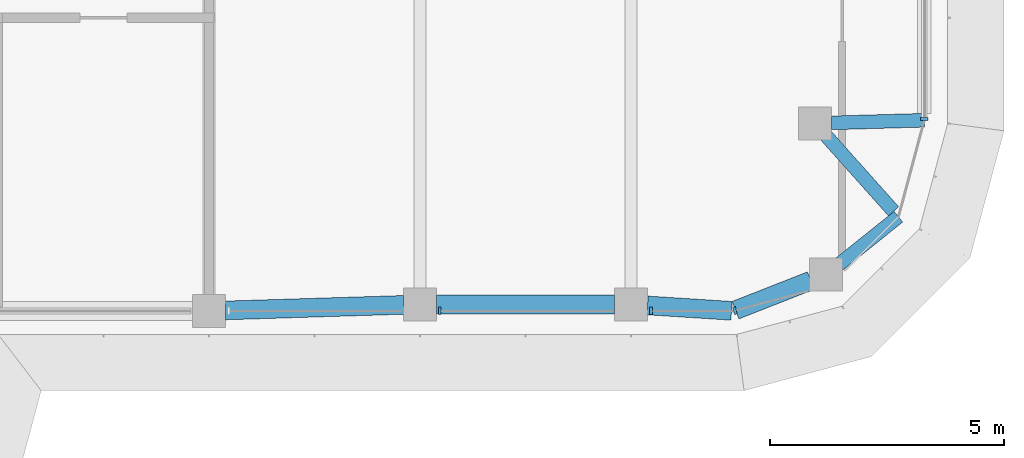
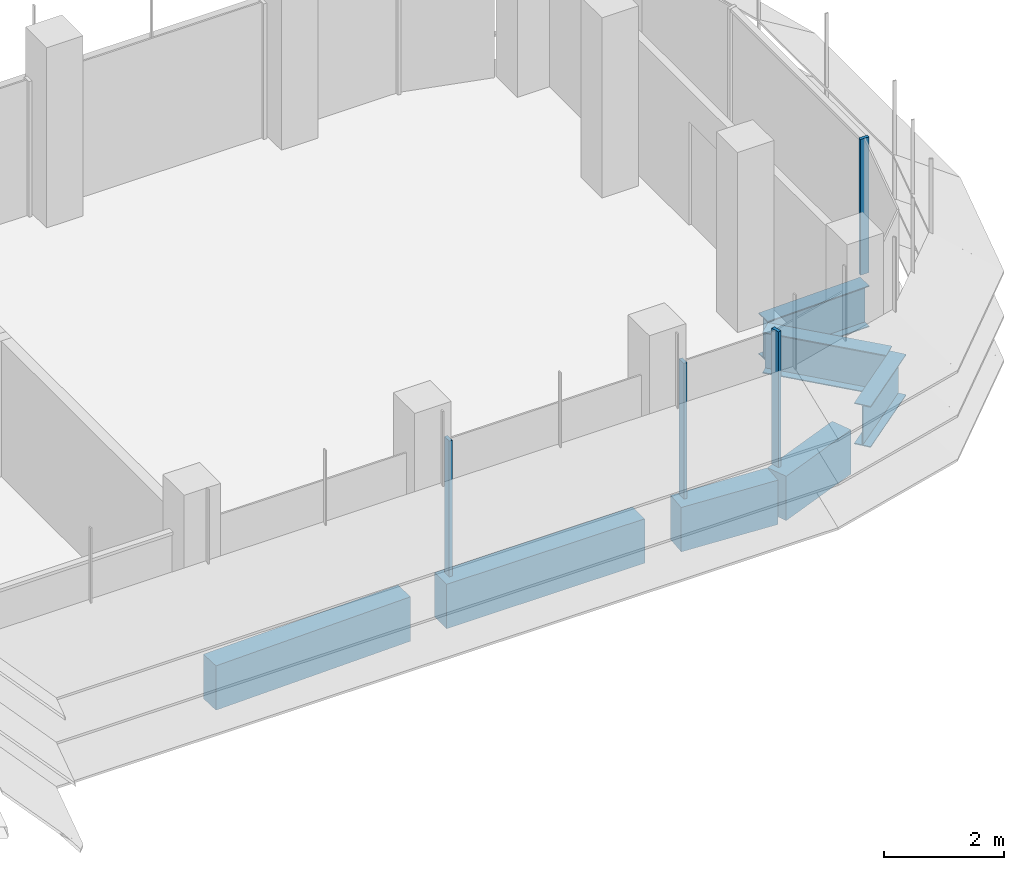
# One storey, part 5 of 18: 7 beams, 4 members, 3 elements without a shape of their own.
"""IFC4 building model written with IfcOpenShell, lengths in metres."""

from ifc_helpers import new_model, si_unit, direction, frame, origin, origin_2d, place, context, subcontext, project, spatial, polyline, rectangle, i_section, outline, extrude, source, transform, mapped, material, material_profile, profile_set, type_object, element, aggregate, save


model = new_model("IFC4")

# Units and contexts
model_context = context("Model", 3, precision=1e-05, world=origin(), true_north=direction((0.0, 1.0)))
body_context = subcontext(model_context, "Body", "Model", "MODEL_VIEW")
ifc_project = project(units=[si_unit("LENGTHUNIT", "METRE"), si_unit("AREAUNIT", "SQUARE_METRE"), si_unit("VOLUMEUNIT", "CUBIC_METRE"), si_unit("PLANEANGLEUNIT", "RADIAN"), si_unit("MASSUNIT", "GRAM", prefix="KILO")], contexts=[model_context])

# Site, building, storey
site_placement = place(None, origin())
site = spatial("IfcSite", under=ifc_project, at=site_placement, CompositionType="ELEMENT")
building_placement = place(site_placement, origin())
building = spatial("IfcBuilding", under=site, at=building_placement, Name="Zarbagh Exchange Tower", CompositionType="ELEMENT")
storey_placement = place(building_placement, frame((0.0, 0.0, 206.800048828125)))
storey = spatial("IfcBuildingStorey", under=building, at=storey_placement, Name="L50", CompositionType="ELEMENT", Elevation=206.800048828125)

# Beams
ifc_material_1 = material(Name="Steel ASTM A992 Gr 50", Category="steel")
ifc_material_profile_1 = material_profile(ifc_material_1, i_section(OverallWidth=0.2919921875, OverallDepth=0.835693359375, WebThickness=0.013916015625, FlangeThickness=0.018798828125, at=origin_2d()), Name="W33X118")
ifc_profile_set_1 = profile_set([ifc_material_profile_1], Name="Steel ASTM A992 Gr 50")
beam_type_1 = type_object("IfcBeamType", Name="Floor girder W33X118", PredefinedType="BEAM", material=ifc_profile_set_1)
beam_1_placement = place(storey_placement, frame((31.0, -2.18408203125, -0.56787109375), z_axis=(-0.999601581355, -0.028225494714, 0.0), x_axis=(0.028225494714, -0.999601581355, 0.0)))
element("IfcBeam", 1, at=beam_1_placement, inside=storey, type_object=beam_type_1, Name="Steel girder", PredefinedType="BEAM", context=body_context, shape_type="SweptSolid", body=[
    extrude(i_section(OverallWidth=0.2919921875, OverallDepth=0.835693359375, WebThickness=0.013916015625, FlangeThickness=0.018798828125, at=origin_2d()), origin(), (0.0, 0.0, 1.0), 1.980712890625),
])
beam_2_placement = place(storey_placement, frame((28.9033203125, -2.510986328125, -0.56787109375), z_axis=(0.666194955403, -0.745777635355, 0.0), x_axis=(0.745777635355, 0.666194955403, 0.0)))
element("IfcBeam", 2, at=beam_2_placement, inside=storey, type_object=beam_type_1, Name="Steel girder", PredefinedType="BEAM", context=body_context, shape_type="SweptSolid", body=[
    extrude(i_section(OverallWidth=0.2919921875, OverallDepth=0.835693359375, WebThickness=0.013916015625, FlangeThickness=0.018798828125, at=origin_2d()), origin(), (0.0, 0.0, 1.0), 2.165771484375),
])
beam_3_placement = place(storey_placement, frame((30.44873046875, -4.2412109375, -0.56787109375), z_axis=(-0.780619385558, -0.625006699877, 0.0), x_axis=(0.625006699877, -0.780619385558, 0.0)))
element("IfcBeam", 3, at=beam_3_placement, inside=storey, type_object=beam_type_1, Name="Steel girder", PredefinedType="BEAM", context=body_context, shape_type="SweptSolid", body=[
    extrude(i_section(OverallWidth=0.2919921875, OverallDepth=0.835693359375, WebThickness=0.013916015625, FlangeThickness=0.018798828125, at=origin_2d()), origin(), (0.0, 0.0, 1.0), 1.623779296875),
])
ifc_material_2 = material(Name="Concrete C50/60", Category="concrete")
ifc_material_profile_2 = material_profile(ifc_material_2, rectangle(XDim=0.39990234375, YDim=0.89990234375, at=origin_2d()), Name="RC spandrel beam 400 x 900 C50/60")
ifc_profile_set_2 = profile_set([ifc_material_profile_2], Name="Concrete C50/60")
beam_type_2 = type_object("IfcBeamType", Name="RC spandrel beam 400 x 900 C50/60", PredefinedType="SPANDREL", material=ifc_profile_set_2)
beam_4_placement = place(storey_placement, frame((28.582275390625, -5.602783203125, -0.60009765625), z_axis=(-0.930818525178, -0.365481700207, 0.0), x_axis=(0.365481700207, -0.930818525178, 0.0)))
element("IfcBeam", 4, at=beam_4_placement, inside=storey, type_object=beam_type_2, Name="RC spandrel beam", PredefinedType="SPANDREL", context=body_context, shape_type="SweptSolid", body=[
    extrude(rectangle(XDim=0.39990234375, YDim=0.89990234375, at=origin_2d()), origin(), (0.0, 0.0, 1.0), 1.72607421875),
])
beam_5_placement = place(storey_placement, frame((26.8896484375, -6.247314453125, -0.60009765625), z_axis=(-0.997943601797, 0.064098109429, 0.0), x_axis=(-0.064098109429, -0.997943601797, 0.0)))
element("IfcBeam", 5, at=beam_5_placement, inside=storey, type_object=beam_type_2, Name="RC spandrel beam", PredefinedType="SPANDREL", context=body_context, shape_type="SweptSolid", body=[
    extrude(rectangle(XDim=0.39990234375, YDim=0.89990234375, at=origin_2d()), origin(), (0.0, 0.0, 1.0), 1.7939453125),
])
beam_6_placement = place(storey_placement, frame((24.39990234375, -6.110107421875, -0.60009765625), z_axis=(-1.0, 0.0, 0.0), x_axis=(0.0, -1.0, 0.0)))
element("IfcBeam", 6, at=beam_6_placement, inside=storey, type_object=beam_type_2, Name="RC spandrel beam", PredefinedType="SPANDREL", context=body_context, shape_type="SweptSolid", body=[
    extrude(rectangle(XDim=0.39990234375, YDim=0.89990234375, at=origin_2d()), origin(), (0.0, 0.0, 1.0), 3.7998046875),
])
beam_7_placement = place(storey_placement, frame((19.900146484375, -6.120849609375, -0.60009765625), z_axis=(-0.999516950199, -0.031078389046, 0.0), x_axis=(0.031078389046, -0.999516950199, 0.0)))
element("IfcBeam", 7, at=beam_7_placement, inside=storey, type_object=beam_type_2, Name="RC spandrel beam", PredefinedType="SPANDREL", context=body_context, shape_type="SweptSolid", body=[
    extrude(rectangle(XDim=0.39990234375, YDim=0.89990234375, at=origin_2d()), origin(), (0.0, 0.0, 1.0), 3.80224609375),
])

# Curtain wall, members
ifc_material_3 = material(Name="Anodised aluminium frame and glazing", Category="aluminium")
curtain_wall_type = type_object("IfcCurtainWallType", Name="CWB Ribbon glazing, upper zones", PredefinedType="NOTDEFINED", material=ifc_material_3)
curtain_wall_1_placement = place(storey_placement, origin())
curtain_wall_1 = element("IfcCurtainWall", 8, at=curtain_wall_1_placement, inside=storey, type_object=curtain_wall_type, Name="CWB08 curtain wall", PredefinedType="NOTDEFINED")
ifc_material_4 = material(Name="Anodised aluminium frame", Category="aluminium")
member_type = type_object("IfcMemberType", Name="MUB Mullion, anodised aluminium frame", PredefinedType="MULLION", material=ifc_material_4)
shared_shape = source(origin(), body_context, "Body", "SweptSolid", [
    extrude(outline(polyline([(0.0, -0.080078125), (0.06005859375, -0.080078125), (0.06005859375, 0.080078125), (0.0, 0.080078125), (0.0, -0.080078125)])), origin(), (0.0, 0.0, 1.0), 2.75),
])
placement = place(storey_placement, origin())
member_1 = element("IfcMember", 9, at=placement, type_object=member_type, Name="CWB08 mullion 3.1", PredefinedType="MULLION", context=body_context, shape_type="MappedRepresentation", body=[
    mapped(shared_shape, transform((20.64013671875, -6.25, 0.0), x_axis=(1.0, 0.0, 0.0), y_axis=(0.0, 1.0, 0.0), z_axis=(0.0, 0.0, 1.0))),
])
member_2 = element("IfcMember", 10, at=placement, type_object=member_type, Name="CWB08 mullion 4.1", PredefinedType="MULLION", context=body_context, shape_type="MappedRepresentation", body=[
    mapped(shared_shape, transform((25.14013671875, -6.25, 0.0), x_axis=(1.0, 0.0, 0.0), y_axis=(0.0, 1.0, 0.0), z_axis=(0.0, 0.0, 1.0))),
])
aggregate(curtain_wall_1, [member_1, member_2])

# Curtain wall, member
curtain_wall_2_placement = place(storey_placement, origin())
curtain_wall_2 = element("IfcCurtainWall", 11, at=curtain_wall_2_placement, inside=storey, type_object=curtain_wall_type, Name="CWB09 curtain wall", PredefinedType="NOTDEFINED")
member_3 = element("IfcMember", 12, at=placement, type_object=member_type, Name="CWB09 mullion 1.1", PredefinedType="MULLION", context=body_context, shape_type="MappedRepresentation", body=[
    mapped(shared_shape, transform((26.93408203125, -6.25, 0.0), x_axis=(0.965924289636, 0.258824779902, 0.0), y_axis=(-0.258824779902, 0.965924289636, 0.0), z_axis=(0.0, 0.0, 1.0))),
])
aggregate(curtain_wall_2, [member_3])

curtain_wall_3_placement = place(storey_placement, origin())
curtain_wall_3 = element("IfcCurtainWall", 13, at=curtain_wall_3_placement, inside=storey, type_object=curtain_wall_type, Name="CWB12 curtain wall", PredefinedType="NOTDEFINED")
member_4 = element("IfcMember", 14, at=placement, type_object=member_type, Name="CWB12 mullion 1.1", PredefinedType="MULLION", context=body_context, shape_type="MappedRepresentation", body=[
    mapped(shared_shape, transform((31.0, -2.18408203125, 0.0), x_axis=(0.0, 1.0, 0.0), y_axis=(-1.0, 0.0, 0.0), z_axis=(0.0, 0.0, 1.0))),
])
aggregate(curtain_wall_3, [member_4])

save(model, "model.ifc")
